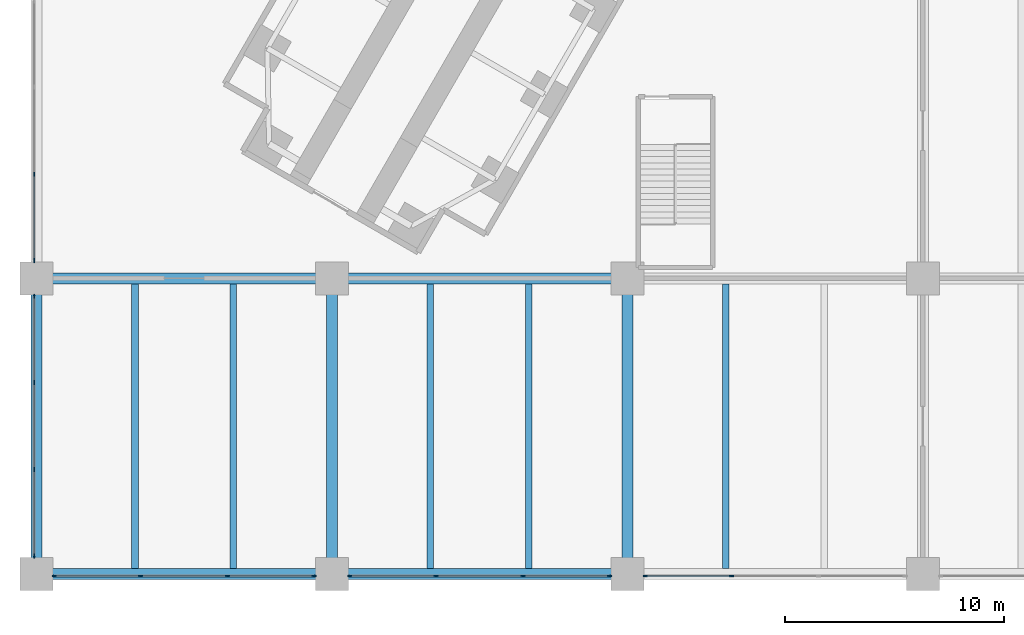
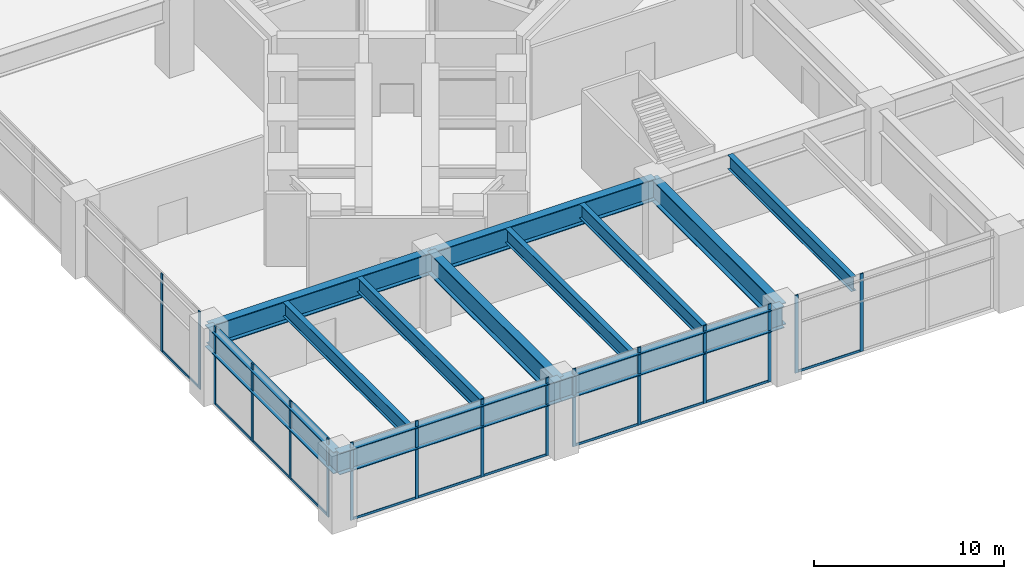
# One storey, part 2 of 32: 27 members, 12 beams, 5 elements without a shape of their own.
"""IFC4 building model written with IfcOpenShell, lengths in metres."""

from ifc_helpers import new_model, si_unit, direction, frame, origin, origin_2d, place, context, subcontext, project, spatial, rectangle, i_section, extrude, material, material_profile, profile_set, type_object, element, aggregate, save


model = new_model("IFC4")

# Units and contexts
model_context = context("Model", 3, precision=1e-05, world=origin(), true_north=direction((0.0, 1.0)))
body_context = subcontext(model_context, "Body", "Model", "MODEL_VIEW")
ifc_project = project(units=[si_unit("LENGTHUNIT", "METRE"), si_unit("AREAUNIT", "SQUARE_METRE"), si_unit("VOLUMEUNIT", "CUBIC_METRE"), si_unit("PLANEANGLEUNIT", "RADIAN"), si_unit("MASSUNIT", "GRAM", prefix="KILO")], contexts=[model_context])

# Site, building, storey
site_placement = place(None, origin())
site = spatial("IfcSite", under=ifc_project, at=site_placement, CompositionType="ELEMENT")
building_placement = place(site_placement, origin())
building = spatial("IfcBuilding", under=site, at=building_placement, Name="Upepo Twin Towers", CompositionType="ELEMENT")
storey_placement = place(building_placement, frame((0.0, 0.0, 5.5)))
storey = spatial("IfcBuildingStorey", under=building, at=storey_placement, Name="L01", CompositionType="ELEMENT", Elevation=5.5)

# Beams
ifc_material_1 = material(Name="Steel S355", Category="steel")
ifc_material_profile_1 = material_profile(ifc_material_1, i_section(OverallWidth=0.5, OverallDepth=1.39990234375, WebThickness=0.02490234375, FlangeThickness=0.050048828125, FilletRadius=0.008056640625, at=origin_2d()), Name="PG 1400x500x25x50")
ifc_profile_set_1 = profile_set([ifc_material_profile_1], Name="Steel S355")
beam_type_1 = type_object("IfcBeamType", Name="Beam PG 1400x500x25x50", PredefinedType="BEAM", material=ifc_profile_set_1)
for number, where, z_axis, x_axis, name in (
    (1, (-27.0, -40.5, 3.949951171875), (1.0, 0.0, 0.0), (0.0, 1.0, 0.0), "Podium girder A/1-2"),
    (2, (-13.5, -40.5, 3.949951171875), (1.0, 0.0, 0.0), (0.0, 1.0, 0.0), "Podium girder A/2-3"),
    (3, (-27.0, -27.0, 3.949951171875), (1.0, 0.0, 0.0), (0.0, 1.0, 0.0), "Podium girder B/1-2"),
    (4, (-13.5, -27.0, 3.949951171875), (1.0, 0.0, 0.0), (0.0, 1.0, 0.0), "Podium girder B/2-3"),
    (5, (-27.0, -40.5, 3.949951171875), (0.0, 1.0, 0.0), (-1.0, 0.0, 0.0), "Podium girder 1/A-B"),
    (6, (-13.5, -40.5, 3.949951171875), (0.0, 1.0, 0.0), (-1.0, 0.0, 0.0), "Podium girder 2/A-B"),
    (7, (0.0, -40.5, 3.949951171875), (0.0, 1.0, 0.0), (-1.0, 0.0, 0.0), "Podium girder 3/A-B"),
):
    element("IfcBeam", number, at=place(storey_placement, frame(where, z_axis=z_axis, x_axis=x_axis)), inside=storey, type_object=beam_type_1, Name=name, PredefinedType="BEAM", context=body_context, shape_type="SweptSolid", body=[
        extrude(i_section(OverallWidth=0.5, OverallDepth=1.39990234375, WebThickness=0.02490234375, FlangeThickness=0.050048828125, FilletRadius=0.008056640625, at=origin_2d()), origin(), (0.0, 0.0, 1.0), 13.5),
    ])

# Curtain wall, members
ifc_material_2 = material(Name="Aluminium and clear glass", Category="aluminium")
curtain_wall_type = type_object("IfcCurtainWallType", Name="Podium curtain wall PW1", PredefinedType="NOTDEFINED", material=ifc_material_2)
curtain_wall_1_placement = place(storey_placement, origin())
curtain_wall_1 = element("IfcCurtainWall", 8, at=curtain_wall_1_placement, inside=storey, type_object=curtain_wall_type, Name="Podium L01 curtain wall S1", PredefinedType="NOTDEFINED")
ifc_material_3 = material(Name="Aluminium mullion", Category="aluminium")
ifc_material_profile_2 = material_profile(ifc_material_3, rectangle(XDim=0.06494140625, YDim=0.199951171875, at=origin_2d()), Name="MULLION 65x200 PODIUM")
ifc_profile_set_2 = profile_set([ifc_material_profile_2], Name="Aluminium mullion")
member_type_1 = type_object("IfcMemberType", Name="Mullion 65x200 PW1", PredefinedType="MULLION", material=ifc_profile_set_2)
member_1_placement = place(storey_placement, frame((-26.1826171875, -40.60009765625, 0.0), z_axis=(0.0, 0.0, 1.0), x_axis=(0.0, 1.0, 0.0)))
member_1 = element("IfcMember", 9, at=member_1_placement, type_object=member_type_1, Name="Podium L01 curtain wall S1 mullion 1", PredefinedType="MULLION", context=body_context, shape_type="SweptSolid", body=[
    extrude(rectangle(XDim=0.06494140625, YDim=0.199951171875, at=origin_2d()), origin(), (0.0, 0.0, 1.0), 5.0),
])
member_2_placement = place(storey_placement, frame((-22.23828125, -40.60009765625, 0.0), z_axis=(0.0, 0.0, 1.0), x_axis=(0.0, 1.0, 0.0)))
member_2 = element("IfcMember", 10, at=member_2_placement, type_object=member_type_1, Name="Podium L01 curtain wall S1 mullion 2", PredefinedType="MULLION", context=body_context, shape_type="SweptSolid", body=[
    extrude(rectangle(XDim=0.06494140625, YDim=0.199951171875, at=origin_2d()), origin(), (0.0, 0.0, 1.0), 5.0),
])
member_3_placement = place(storey_placement, frame((-18.26171875, -40.60009765625, 0.0), z_axis=(0.0, 0.0, 1.0), x_axis=(0.0, 1.0, 0.0)))
member_3 = element("IfcMember", 11, at=member_3_placement, type_object=member_type_1, Name="Podium L01 curtain wall S1 mullion 3", PredefinedType="MULLION", context=body_context, shape_type="SweptSolid", body=[
    extrude(rectangle(XDim=0.06494140625, YDim=0.199951171875, at=origin_2d()), origin(), (0.0, 0.0, 1.0), 5.0),
])
member_4_placement = place(storey_placement, frame((-14.3173828125, -40.60009765625, 0.0), z_axis=(0.0, 0.0, 1.0), x_axis=(0.0, 1.0, 0.0)))
member_4 = element("IfcMember", 12, at=member_4_placement, type_object=member_type_1, Name="Podium L01 curtain wall S1 mullion 4", PredefinedType="MULLION", context=body_context, shape_type="SweptSolid", body=[
    extrude(rectangle(XDim=0.06494140625, YDim=0.199951171875, at=origin_2d()), origin(), (0.0, 0.0, 1.0), 5.0),
])

curtain_wall_2_placement = place(storey_placement, origin())
curtain_wall_2 = element("IfcCurtainWall", 13, at=curtain_wall_2_placement, inside=storey, type_object=curtain_wall_type, Name="Podium L01 curtain wall S2", PredefinedType="NOTDEFINED")
member_5_placement = place(storey_placement, frame((-12.6826171875, -40.60009765625, 0.0), z_axis=(0.0, 0.0, 1.0), x_axis=(0.0, 1.0, 0.0)))
member_5 = element("IfcMember", 14, at=member_5_placement, type_object=member_type_1, Name="Podium L01 curtain wall S2 mullion 1", PredefinedType="MULLION", context=body_context, shape_type="SweptSolid", body=[
    extrude(rectangle(XDim=0.06494140625, YDim=0.199951171875, at=origin_2d()), origin(), (0.0, 0.0, 1.0), 5.0),
])
member_6_placement = place(storey_placement, frame((-8.73828125, -40.60009765625, 0.0), z_axis=(0.0, 0.0, 1.0), x_axis=(0.0, 1.0, 0.0)))
member_6 = element("IfcMember", 15, at=member_6_placement, type_object=member_type_1, Name="Podium L01 curtain wall S2 mullion 2", PredefinedType="MULLION", context=body_context, shape_type="SweptSolid", body=[
    extrude(rectangle(XDim=0.06494140625, YDim=0.199951171875, at=origin_2d()), origin(), (0.0, 0.0, 1.0), 5.0),
])
member_7_placement = place(storey_placement, frame((-4.76171875, -40.60009765625, 0.0), z_axis=(0.0, 0.0, 1.0), x_axis=(0.0, 1.0, 0.0)))
member_7 = element("IfcMember", 16, at=member_7_placement, type_object=member_type_1, Name="Podium L01 curtain wall S2 mullion 3", PredefinedType="MULLION", context=body_context, shape_type="SweptSolid", body=[
    extrude(rectangle(XDim=0.06494140625, YDim=0.199951171875, at=origin_2d()), origin(), (0.0, 0.0, 1.0), 5.0),
])
member_8_placement = place(storey_placement, frame((-0.8173828125, -40.60009765625, 0.0), z_axis=(0.0, 0.0, 1.0), x_axis=(0.0, 1.0, 0.0)))
member_8 = element("IfcMember", 17, at=member_8_placement, type_object=member_type_1, Name="Podium L01 curtain wall S2 mullion 4", PredefinedType="MULLION", context=body_context, shape_type="SweptSolid", body=[
    extrude(rectangle(XDim=0.06494140625, YDim=0.199951171875, at=origin_2d()), origin(), (0.0, 0.0, 1.0), 5.0),
])

curtain_wall_3_placement = place(storey_placement, origin())
curtain_wall_3 = element("IfcCurtainWall", 18, at=curtain_wall_3_placement, inside=storey, type_object=curtain_wall_type, Name="Podium L01 curtain wall S3", PredefinedType="NOTDEFINED")
member_9_placement = place(storey_placement, frame((0.8173828125, -40.60009765625, 0.0), z_axis=(0.0, 0.0, 1.0), x_axis=(0.0, 1.0, 0.0)))
member_9 = element("IfcMember", 19, at=member_9_placement, type_object=member_type_1, Name="Podium L01 curtain wall S3 mullion 1", PredefinedType="MULLION", context=body_context, shape_type="SweptSolid", body=[
    extrude(rectangle(XDim=0.06494140625, YDim=0.199951171875, at=origin_2d()), origin(), (0.0, 0.0, 1.0), 5.0),
])
member_10_placement = place(storey_placement, frame((4.76171875, -40.60009765625, 0.0), z_axis=(0.0, 0.0, 1.0), x_axis=(0.0, 1.0, 0.0)))
member_10 = element("IfcMember", 20, at=member_10_placement, type_object=member_type_1, Name="Podium L01 curtain wall S3 mullion 2", PredefinedType="MULLION", context=body_context, shape_type="SweptSolid", body=[
    extrude(rectangle(XDim=0.06494140625, YDim=0.199951171875, at=origin_2d()), origin(), (0.0, 0.0, 1.0), 5.0),
])

curtain_wall_4_placement = place(storey_placement, origin())
curtain_wall_4 = element("IfcCurtainWall", 21, at=curtain_wall_4_placement, inside=storey, type_object=curtain_wall_type, Name="Podium L01 curtain wall W5", PredefinedType="NOTDEFINED")
member_11_placement = place(storey_placement, frame((-27.10009765625, -22.23828125, 0.0), z_axis=(0.0, 0.0, 1.0), x_axis=(1.0, 0.0, 0.0)))
member_11 = element("IfcMember", 22, at=member_11_placement, type_object=member_type_1, Name="Podium L01 curtain wall W5 mullion 3", PredefinedType="MULLION", context=body_context, shape_type="SweptSolid", body=[
    extrude(rectangle(XDim=0.06494140625, YDim=0.199951171875, at=origin_2d()), origin(), (0.0, 0.0, 1.0), 5.0),
])
member_12_placement = place(storey_placement, frame((-27.10009765625, -26.1826171875, 0.0), z_axis=(0.0, 0.0, 1.0), x_axis=(1.0, 0.0, 0.0)))
member_12 = element("IfcMember", 23, at=member_12_placement, type_object=member_type_1, Name="Podium L01 curtain wall W5 mullion 4", PredefinedType="MULLION", context=body_context, shape_type="SweptSolid", body=[
    extrude(rectangle(XDim=0.06494140625, YDim=0.199951171875, at=origin_2d()), origin(), (0.0, 0.0, 1.0), 5.0),
])

curtain_wall_5_placement = place(storey_placement, origin())
curtain_wall_5 = element("IfcCurtainWall", 24, at=curtain_wall_5_placement, inside=storey, type_object=curtain_wall_type, Name="Podium L01 curtain wall W6", PredefinedType="NOTDEFINED")
member_13_placement = place(storey_placement, frame((-27.10009765625, -27.8173828125, 0.0), z_axis=(0.0, 0.0, 1.0), x_axis=(1.0, 0.0, 0.0)))
member_13 = element("IfcMember", 25, at=member_13_placement, type_object=member_type_1, Name="Podium L01 curtain wall W6 mullion 1", PredefinedType="MULLION", context=body_context, shape_type="SweptSolid", body=[
    extrude(rectangle(XDim=0.06494140625, YDim=0.199951171875, at=origin_2d()), origin(), (0.0, 0.0, 1.0), 5.0),
])
member_14_placement = place(storey_placement, frame((-27.10009765625, -31.76171875, 0.0), z_axis=(0.0, 0.0, 1.0), x_axis=(1.0, 0.0, 0.0)))
member_14 = element("IfcMember", 26, at=member_14_placement, type_object=member_type_1, Name="Podium L01 curtain wall W6 mullion 2", PredefinedType="MULLION", context=body_context, shape_type="SweptSolid", body=[
    extrude(rectangle(XDim=0.06494140625, YDim=0.199951171875, at=origin_2d()), origin(), (0.0, 0.0, 1.0), 5.0),
])
member_15_placement = place(storey_placement, frame((-27.10009765625, -35.73828125, 0.0), z_axis=(0.0, 0.0, 1.0), x_axis=(1.0, 0.0, 0.0)))
member_15 = element("IfcMember", 27, at=member_15_placement, type_object=member_type_1, Name="Podium L01 curtain wall W6 mullion 3", PredefinedType="MULLION", context=body_context, shape_type="SweptSolid", body=[
    extrude(rectangle(XDim=0.06494140625, YDim=0.199951171875, at=origin_2d()), origin(), (0.0, 0.0, 1.0), 5.0),
])
member_16_placement = place(storey_placement, frame((-27.10009765625, -39.6826171875, 0.0), z_axis=(0.0, 0.0, 1.0), x_axis=(1.0, 0.0, 0.0)))
member_16 = element("IfcMember", 28, at=member_16_placement, type_object=member_type_1, Name="Podium L01 curtain wall W6 mullion 4", PredefinedType="MULLION", context=body_context, shape_type="SweptSolid", body=[
    extrude(rectangle(XDim=0.06494140625, YDim=0.199951171875, at=origin_2d()), origin(), (0.0, 0.0, 1.0), 5.0),
])

# Beams
ifc_material_4 = material(Name="Steel S355", Category="steel")
ifc_material_profile_3 = material_profile(ifc_material_4, i_section(OverallWidth=0.305419921875, OverallDepth=0.91845703125, WebThickness=0.017333984375, FlangeThickness=0.02783203125, FilletRadius=0.01904296875, at=origin_2d()), Name="UB 914x305x253")
ifc_profile_set_3 = profile_set([ifc_material_profile_3], Name="Steel S355")
beam_type_2 = type_object("IfcBeamType", Name="Secondary beam UB 914x305x253", PredefinedType="JOIST", material=ifc_profile_set_3)
for number, where, z_axis, x_axis, name in (
    (29, (-22.5, -40.25, 4.19091796875), (0.0, 1.0, 0.0), (-1.0, 0.0, 0.0), "Podium secondary beam A1.1"),
    (30, (-18.0, -40.25, 4.19091796875), (0.0, 1.0, 0.0), (-1.0, 0.0, 0.0), "Podium secondary beam A1.2"),
    (31, (-9.0, -40.25, 4.19091796875), (0.0, 1.0, 0.0), (-1.0, 0.0, 0.0), "Podium secondary beam A2.1"),
    (32, (-4.5, -40.25, 4.19091796875), (0.0, 1.0, 0.0), (-1.0, 0.0, 0.0), "Podium secondary beam A2.2"),
    (33, (4.5, -40.25, 4.19091796875), (0.0, 1.0, 0.0), (-1.0, 0.0, 0.0), "Podium secondary beam A3.1"),
):
    element("IfcBeam", number, at=place(storey_placement, frame(where, z_axis=z_axis, x_axis=x_axis)), inside=storey, type_object=beam_type_2, Name=name, PredefinedType="JOIST", context=body_context, shape_type="SweptSolid", body=[
        extrude(i_section(OverallWidth=0.305419921875, OverallDepth=0.91845703125, WebThickness=0.017333984375, FlangeThickness=0.02783203125, FilletRadius=0.01904296875, at=origin_2d()), origin(), (0.0, 0.0, 1.0), 13.0),
    ])

# Member
ifc_material_5 = material(Name="Aluminium transom", Category="aluminium")
ifc_material_profile_4 = material_profile(ifc_material_5, rectangle(XDim=0.06494140625, YDim=0.14990234375, at=origin_2d()), Name="TRANSOM 65x150 PODIUM")
ifc_profile_set_4 = profile_set([ifc_material_profile_4], Name="Aluminium transom")
member_type_2 = type_object("IfcMemberType", Name="Transom 65x150 PW1", PredefinedType="USERDEFINED", material=ifc_profile_set_4)
member_17_placement = place(storey_placement, frame((-26.14990234375, -40.60009765625, 0.074951171875), z_axis=(1.0, 0.0, 0.0), x_axis=(0.0, 1.0, 0.0)))
member_17 = element("IfcMember", 34, at=member_17_placement, type_object=member_type_2, Name="Podium L01 curtain wall S1 transom 1", ObjectType="TRANSOM", PredefinedType="USERDEFINED", context=body_context, shape_type="SweptSolid", body=[
    extrude(rectangle(XDim=0.06494140625, YDim=0.14990234375, at=origin_2d()), origin(), (0.0, 0.0, 1.0), 3.879150390625),
])

member_18_placement = place(storey_placement, frame((-22.205810546875, -40.60009765625, 0.074951171875), z_axis=(1.0, 0.0, 0.0), x_axis=(0.0, 1.0, 0.0)))
member_18 = element("IfcMember", 35, at=member_18_placement, type_object=member_type_2, Name="Podium L01 curtain wall S1 transom 2", ObjectType="TRANSOM", PredefinedType="USERDEFINED", context=body_context, shape_type="SweptSolid", body=[
    extrude(rectangle(XDim=0.06494140625, YDim=0.14990234375, at=origin_2d()), origin(), (0.0, 0.0, 1.0), 3.91162109375),
])

member_19_placement = place(storey_placement, frame((-18.229248046875, -40.60009765625, 0.074951171875), z_axis=(1.0, 0.0, 0.0), x_axis=(0.0, 1.0, 0.0)))
member_19 = element("IfcMember", 36, at=member_19_placement, type_object=member_type_2, Name="Podium L01 curtain wall S1 transom 3", ObjectType="TRANSOM", PredefinedType="USERDEFINED", context=body_context, shape_type="SweptSolid", body=[
    extrude(rectangle(XDim=0.06494140625, YDim=0.14990234375, at=origin_2d()), origin(), (0.0, 0.0, 1.0), 3.879150390625),
])

aggregate(curtain_wall_1, [member_1, member_2, member_3, member_4, member_17, member_18, member_19])

member_20_placement = place(storey_placement, frame((-12.64990234375, -40.60009765625, 0.074951171875), z_axis=(1.0, 0.0, 0.0), x_axis=(0.0, 1.0, 0.0)))
member_20 = element("IfcMember", 37, at=member_20_placement, type_object=member_type_2, Name="Podium L01 curtain wall S2 transom 1", ObjectType="TRANSOM", PredefinedType="USERDEFINED", context=body_context, shape_type="SweptSolid", body=[
    extrude(rectangle(XDim=0.06494140625, YDim=0.14990234375, at=origin_2d()), origin(), (0.0, 0.0, 1.0), 3.879150390625),
])

member_21_placement = place(storey_placement, frame((-8.705810546875, -40.60009765625, 0.074951171875), z_axis=(1.0, 0.0, 0.0), x_axis=(0.0, 1.0, 0.0)))
member_21 = element("IfcMember", 38, at=member_21_placement, type_object=member_type_2, Name="Podium L01 curtain wall S2 transom 2", ObjectType="TRANSOM", PredefinedType="USERDEFINED", context=body_context, shape_type="SweptSolid", body=[
    extrude(rectangle(XDim=0.06494140625, YDim=0.14990234375, at=origin_2d()), origin(), (0.0, 0.0, 1.0), 3.91162109375),
])

member_22_placement = place(storey_placement, frame((-4.729248046875, -40.60009765625, 0.074951171875), z_axis=(1.0, 0.0, 0.0), x_axis=(0.0, 1.0, 0.0)))
member_22 = element("IfcMember", 39, at=member_22_placement, type_object=member_type_2, Name="Podium L01 curtain wall S2 transom 3", ObjectType="TRANSOM", PredefinedType="USERDEFINED", context=body_context, shape_type="SweptSolid", body=[
    extrude(rectangle(XDim=0.06494140625, YDim=0.14990234375, at=origin_2d()), origin(), (0.0, 0.0, 1.0), 3.879150390625),
])

aggregate(curtain_wall_2, [member_5, member_6, member_7, member_8, member_20, member_21, member_22])

member_23_placement = place(storey_placement, frame((0.85009765625, -40.60009765625, 0.074951171875), z_axis=(1.0, 0.0, 0.0), x_axis=(0.0, 1.0, 0.0)))
member_23 = element("IfcMember", 40, at=member_23_placement, type_object=member_type_2, Name="Podium L01 curtain wall S3 transom 1", ObjectType="TRANSOM", PredefinedType="USERDEFINED", context=body_context, shape_type="SweptSolid", body=[
    extrude(rectangle(XDim=0.06494140625, YDim=0.14990234375, at=origin_2d()), origin(), (0.0, 0.0, 1.0), 3.879150390625),
])

aggregate(curtain_wall_3, [member_9, member_10, member_23])

member_24_placement = place(storey_placement, frame((-27.10009765625, -22.270751953125, 0.074951171875), z_axis=(0.0, -1.0, 0.0), x_axis=(1.0, 0.0, 0.0)))
member_24 = element("IfcMember", 41, at=member_24_placement, type_object=member_type_2, Name="Podium L01 curtain wall W5 transom 3", ObjectType="TRANSOM", PredefinedType="USERDEFINED", context=body_context, shape_type="SweptSolid", body=[
    extrude(rectangle(XDim=0.06494140625, YDim=0.14990234375, at=origin_2d()), origin(), (0.0, 0.0, 1.0), 3.879150390625),
])

aggregate(curtain_wall_4, [member_11, member_12, member_24])

member_25_placement = place(storey_placement, frame((-27.10009765625, -27.85009765625, 0.074951171875), z_axis=(0.0, -1.0, 0.0), x_axis=(1.0, 0.0, 0.0)))
member_25 = element("IfcMember", 42, at=member_25_placement, type_object=member_type_2, Name="Podium L01 curtain wall W6 transom 1", ObjectType="TRANSOM", PredefinedType="USERDEFINED", context=body_context, shape_type="SweptSolid", body=[
    extrude(rectangle(XDim=0.06494140625, YDim=0.14990234375, at=origin_2d()), origin(), (0.0, 0.0, 1.0), 3.879150390625),
])

member_26_placement = place(storey_placement, frame((-27.10009765625, -31.794189453125, 0.074951171875), z_axis=(0.0, -1.0, 0.0), x_axis=(1.0, 0.0, 0.0)))
member_26 = element("IfcMember", 43, at=member_26_placement, type_object=member_type_2, Name="Podium L01 curtain wall W6 transom 2", ObjectType="TRANSOM", PredefinedType="USERDEFINED", context=body_context, shape_type="SweptSolid", body=[
    extrude(rectangle(XDim=0.06494140625, YDim=0.14990234375, at=origin_2d()), origin(), (0.0, 0.0, 1.0), 3.91162109375),
])

member_27_placement = place(storey_placement, frame((-27.10009765625, -35.770751953125, 0.074951171875), z_axis=(0.0, -1.0, 0.0), x_axis=(1.0, 0.0, 0.0)))
member_27 = element("IfcMember", 44, at=member_27_placement, type_object=member_type_2, Name="Podium L01 curtain wall W6 transom 3", ObjectType="TRANSOM", PredefinedType="USERDEFINED", context=body_context, shape_type="SweptSolid", body=[
    extrude(rectangle(XDim=0.06494140625, YDim=0.14990234375, at=origin_2d()), origin(), (0.0, 0.0, 1.0), 3.879150390625),
])

aggregate(curtain_wall_5, [member_13, member_14, member_15, member_16, member_25, member_26, member_27])

save(model, "model.ifc")
